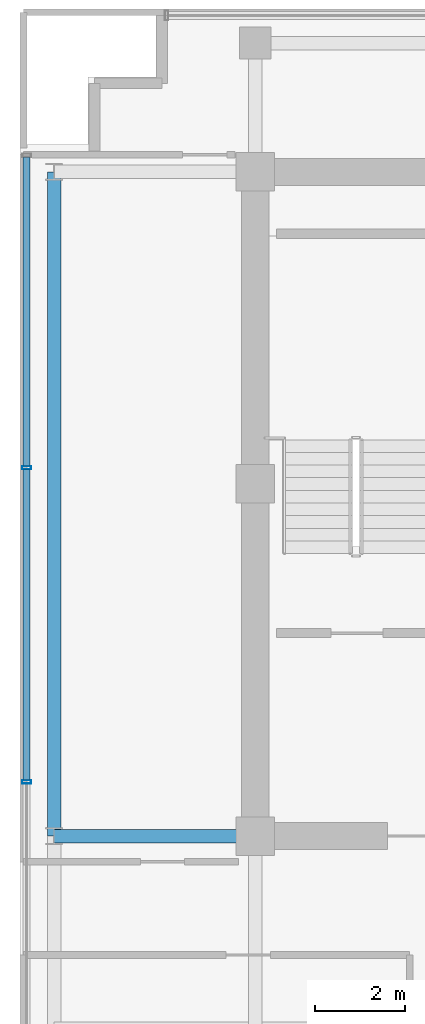
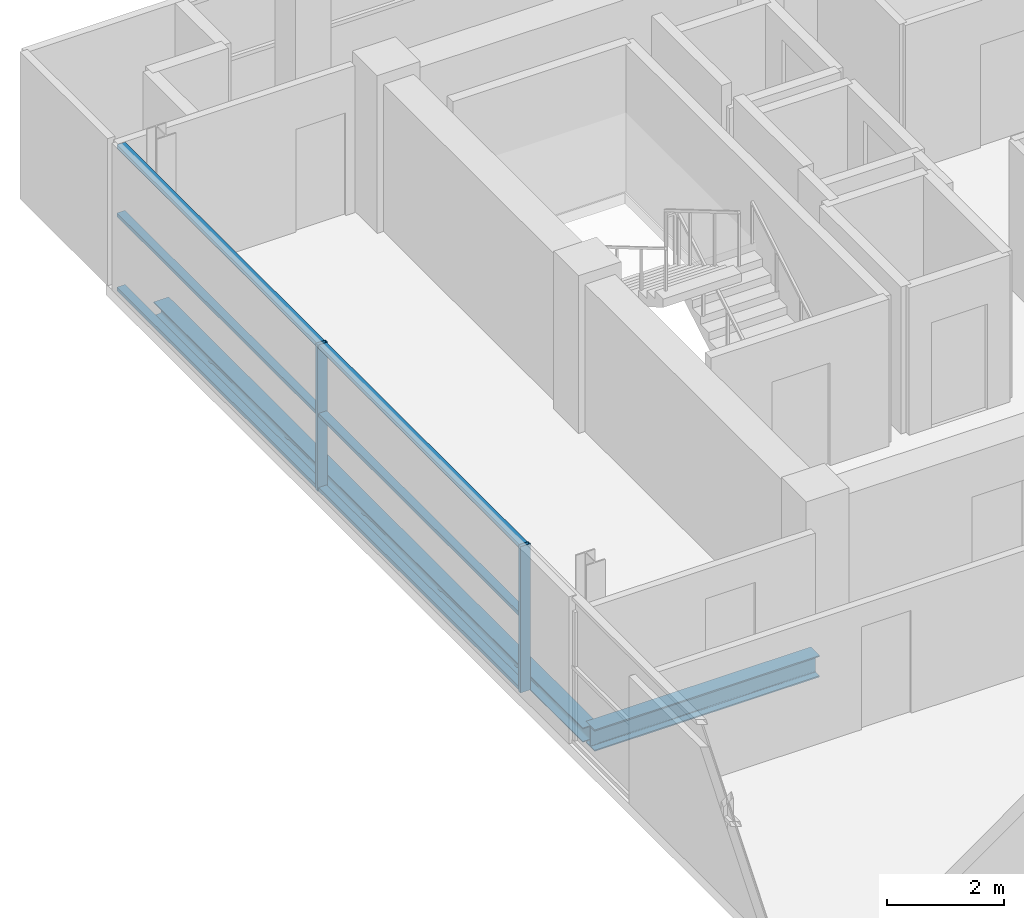
# One storey, part 7 of 22: 8 members, 2 beams, 1 element without a shape of its own.
"""IFC4 building model written with IfcOpenShell, lengths in metres."""

from ifc_helpers import new_model, si_unit, direction, frame, origin, origin_2d, place, context, subcontext, project, spatial, hollow_rectangle, i_section, extrude, source, transform, mapped, material, layer, layer_set, material_profile, profile_set, type_object, element, aggregate, save


model = new_model("IFC4")

# Units and contexts
model_context = context("Model", 3, precision=1e-05, world=origin(), true_north=direction((0.0, 1.0)))
body_context = subcontext(model_context, "Body", "Model", "MODEL_VIEW")
ifc_project = project(units=[si_unit("LENGTHUNIT", "METRE"), si_unit("AREAUNIT", "SQUARE_METRE"), si_unit("VOLUMEUNIT", "CUBIC_METRE"), si_unit("PLANEANGLEUNIT", "RADIAN"), si_unit("MASSUNIT", "GRAM", prefix="KILO")], contexts=[model_context])

# Site, building, storey
site_placement = place(None, origin())
site = spatial("IfcSite", under=ifc_project, at=site_placement, CompositionType="ELEMENT")
building_placement = place(site_placement, origin())
building = spatial("IfcBuilding", under=site, at=building_placement, Name="Zarnakvel Exchange Tower", CompositionType="ELEMENT")
storey_placement = place(building_placement, frame((0.0, 0.0, 245.199951171875)))
storey = spatial("IfcBuildingStorey", under=building, at=storey_placement, Name="L69", CompositionType="ELEMENT", Elevation=245.199951171875)

# Beams
ifc_material_1 = material(Name="Steel S355", Category="steel")
ifc_material_profile_1 = material_profile(ifc_material_1, i_section(OverallWidth=0.300048828125, OverallDepth=0.449951171875, WebThickness=0.013916015625, FlangeThickness=0.02587890625, FilletRadius=0.027099609375, at=origin_2d()))
ifc_profile_set_1 = profile_set([ifc_material_profile_1], Name="Steel S355")
beam_type_1 = type_object("IfcBeamType", Name="G-07", PredefinedType="BEAM", material=ifc_profile_set_1)
beam_1_placement = place(storey_placement, frame((-18.85009765625, -1.199951171875, -0.449951171875), z_axis=(1.0, 0.0, 0.0), x_axis=(0.0, 1.0, 0.0)))
element("IfcBeam", 1, at=beam_1_placement, inside=storey, type_object=beam_type_1, Name="L69 Tower E-W Frame Beam", PredefinedType="BEAM", context=body_context, shape_type="SweptSolid", body=[
    extrude(i_section(OverallWidth=0.300048828125, OverallDepth=0.449951171875, WebThickness=0.013916015625, FlangeThickness=0.02587890625, FilletRadius=0.027099609375, at=origin_2d()), origin(), (0.0, 0.0, 1.0), 4.4501953125),
])
ifc_material_profile_2 = material_profile(ifc_material_1, i_section(OverallWidth=0.300048828125, OverallDepth=0.300048828125, WebThickness=0.010986328125, FlangeThickness=0.01904296875, FilletRadius=0.027099609375, at=origin_2d()))
ifc_profile_set_2 = profile_set([ifc_material_profile_2], Name="Steel S355")
beam_type_2 = type_object("IfcBeamType", Name="SP-03", PredefinedType="SPANDREL", material=ifc_profile_set_2)
beam_2_placement = place(storey_placement, frame((-18.85009765625, -1.199951171875, -0.375), z_axis=(0.0, 1.0, 0.0), x_axis=(-1.0, 0.0, 0.0)))
element("IfcBeam", 2, at=beam_2_placement, inside=storey, type_object=beam_type_2, Name="L69 Tower N-S Frame Beam", PredefinedType="SPANDREL", context=body_context, shape_type="SweptSolid", body=[
    extrude(i_section(OverallWidth=0.300048828125, OverallDepth=0.300048828125, WebThickness=0.010986328125, FlangeThickness=0.01904296875, FilletRadius=0.027099609375, at=origin_2d()), origin(), (0.0, 0.0, 1.0), 14.699951171875),
])

# Curtain wall, members
ifc_material_2 = material(Name="Architectural Bronze Anodised Aluminium", Category="aluminium")
ifc_layer = layer(ifc_material_2, 0.199951171875)
ifc_layer_set = layer_set([ifc_layer], Name="Architectural Bronze Anodised Aluminium")
curtain_wall_type = type_object("IfcCurtainWallType", Name="CW-04", PredefinedType="NOTDEFINED", material=ifc_layer_set)
curtain_wall_placement = place(storey_placement, origin())
curtain_wall = element("IfcCurtainWall", 3, at=curtain_wall_placement, inside=storey, type_object=curtain_wall_type, Name="L69 Curtain Wall CW-L69-W1 (CW-04)", PredefinedType="NOTDEFINED")
ifc_material_profile_3 = material_profile(ifc_material_2, hollow_rectangle(XDim=0.199951171875, YDim=0.074951171875, WallThickness=0.0048828125, at=origin_2d()))
ifc_profile_set_3 = profile_set([ifc_material_profile_3], Name="Architectural Bronze Anodised Aluminium")
member_type_1 = type_object("IfcMemberType", Name="CWM-04", PredefinedType="MULLION", material=ifc_profile_set_3)
shared_shape_1 = source(origin(), body_context, "Body", "SweptSolid", [
    extrude(hollow_rectangle(XDim=0.199951171875, YDim=0.074951171875, WallThickness=0.0048828125, at=origin_2d()), origin(), (0.0, 0.0, 1.0), 3.054931640625),
])
member_1_placement = place(storey_placement, frame((-19.4599609375, 0.0, 0.0), z_axis=(0.0, 0.0, 1.0), x_axis=(-1.0, 0.0, 0.0)))
member_1 = element("IfcMember", 4, at=member_1_placement, type_object=member_type_1, Name="CW-04 mullion 3", PredefinedType="MULLION", context=body_context, shape_type="MappedRepresentation", body=[
    mapped(shared_shape_1, transform((0.0, 0.0, 0.0), x_axis=(1.0, 0.0, 0.0), y_axis=(0.0, 1.0, 0.0), z_axis=(0.0, 0.0, 1.0), scale=1.0)),
])
member_2_placement = place(storey_placement, frame((-19.4599609375, 6.949951171875, 0.0), z_axis=(0.0, 0.0, 1.0), x_axis=(-1.0, 0.0, 0.0)))
member_2 = element("IfcMember", 5, at=member_2_placement, type_object=member_type_1, Name="CW-04 mullion 4", PredefinedType="MULLION", context=body_context, shape_type="MappedRepresentation", body=[
    mapped(shared_shape_1, transform((0.0, 0.0, 0.0), x_axis=(1.0, 0.0, 0.0), y_axis=(0.0, 1.0, 0.0), z_axis=(0.0, 0.0, 1.0), scale=1.0)),
])
ifc_material_profile_4 = material_profile(ifc_material_2, hollow_rectangle(XDim=0.159912109375, YDim=0.074951171875, WallThickness=0.00390625, at=origin_2d()))
ifc_profile_set_4 = profile_set([ifc_material_profile_4], Name="Architectural Bronze Anodised Aluminium")
member_type_2 = type_object("IfcMemberType", Name="CWT-04", PredefinedType="USERDEFINED", material=ifc_profile_set_4)
shared_shape_2 = source(origin(), body_context, "Body", "SweptSolid", [
    extrude(hollow_rectangle(XDim=0.159912109375, YDim=0.074951171875, WallThickness=0.00390625, at=origin_2d()), origin(), (0.0, 0.0, 1.0), 6.83740234375),
])
member_3_placement = place(storey_placement, frame((-19.4599609375, 6.987548828125, 0.03759765625), z_axis=(0.0, 1.0, 0.0), x_axis=(-1.0, 0.0, 0.0)))
member_3 = element("IfcMember", 6, at=member_3_placement, type_object=member_type_2, Name="CW-04 transom 4.1", ObjectType="TRANSOM", PredefinedType="USERDEFINED", context=body_context, shape_type="MappedRepresentation", body=[
    mapped(shared_shape_2, transform((0.0, 0.0, 0.0), x_axis=(1.0, 0.0, 0.0), y_axis=(0.0, 1.0, 0.0), z_axis=(0.0, 0.0, 1.0), scale=1.0)),
])
member_4_placement = place(storey_placement, frame((-19.4599609375, 6.987548828125, 1.588623046875), z_axis=(0.0, 1.0, 0.0), x_axis=(-1.0, 0.0, 0.0)))
member_4 = element("IfcMember", 7, at=member_4_placement, type_object=member_type_2, Name="CW-04 transom 4.2", ObjectType="TRANSOM", PredefinedType="USERDEFINED", context=body_context, shape_type="MappedRepresentation", body=[
    mapped(shared_shape_2, transform((0.0, 0.0, 0.0), x_axis=(1.0, 0.0, 0.0), y_axis=(0.0, 1.0, 0.0), z_axis=(0.0, 0.0, 1.0), scale=1.0)),
])
member_5_placement = place(storey_placement, frame((-19.4599609375, 6.987548828125, 3.017578125), z_axis=(0.0, 1.0, 0.0), x_axis=(-1.0, 0.0, 0.0)))
member_5 = element("IfcMember", 8, at=member_5_placement, type_object=member_type_2, Name="CW-04 transom 4.3", ObjectType="TRANSOM", PredefinedType="USERDEFINED", context=body_context, shape_type="MappedRepresentation", body=[
    mapped(shared_shape_2, transform((0.0, 0.0, 0.0), x_axis=(1.0, 0.0, 0.0), y_axis=(0.0, 1.0, 0.0), z_axis=(0.0, 0.0, 1.0), scale=1.0)),
])
shared_shape_3 = source(origin(), body_context, "Body", "SweptSolid", [
    extrude(hollow_rectangle(XDim=0.159912109375, YDim=0.074951171875, WallThickness=0.00390625, at=origin_2d()), origin(), (0.0, 0.0, 1.0), 6.875),
])
member_6_placement = place(storey_placement, frame((-19.4599609375, 0.03759765625, 0.03759765625), z_axis=(0.0, 1.0, 0.0), x_axis=(-1.0, 0.0, 0.0)))
member_6 = element("IfcMember", 9, at=member_6_placement, type_object=member_type_2, Name="CW-04 transom 3.1", ObjectType="TRANSOM", PredefinedType="USERDEFINED", context=body_context, shape_type="MappedRepresentation", body=[
    mapped(shared_shape_3, transform((0.0, 0.0, 0.0), x_axis=(1.0, 0.0, 0.0), y_axis=(0.0, 1.0, 0.0), z_axis=(0.0, 0.0, 1.0), scale=1.0)),
])
member_7_placement = place(storey_placement, frame((-19.4599609375, 0.03759765625, 1.588623046875), z_axis=(0.0, 1.0, 0.0), x_axis=(-1.0, 0.0, 0.0)))
member_7 = element("IfcMember", 10, at=member_7_placement, type_object=member_type_2, Name="CW-04 transom 3.2", ObjectType="TRANSOM", PredefinedType="USERDEFINED", context=body_context, shape_type="MappedRepresentation", body=[
    mapped(shared_shape_3, transform((0.0, 0.0, 0.0), x_axis=(1.0, 0.0, 0.0), y_axis=(0.0, 1.0, 0.0), z_axis=(0.0, 0.0, 1.0), scale=1.0)),
])
member_8_placement = place(storey_placement, frame((-19.4599609375, 0.03759765625, 3.017578125), z_axis=(0.0, 1.0, 0.0), x_axis=(-1.0, 0.0, 0.0)))
member_8 = element("IfcMember", 11, at=member_8_placement, type_object=member_type_2, Name="CW-04 transom 3.3", ObjectType="TRANSOM", PredefinedType="USERDEFINED", context=body_context, shape_type="MappedRepresentation", body=[
    mapped(shared_shape_3, transform((0.0, 0.0, 0.0), x_axis=(1.0, 0.0, 0.0), y_axis=(0.0, 1.0, 0.0), z_axis=(0.0, 0.0, 1.0), scale=1.0)),
])
aggregate(curtain_wall, [member_1, member_2, member_6, member_7, member_8, member_3, member_4, member_5])

save(model, "model.ifc")
